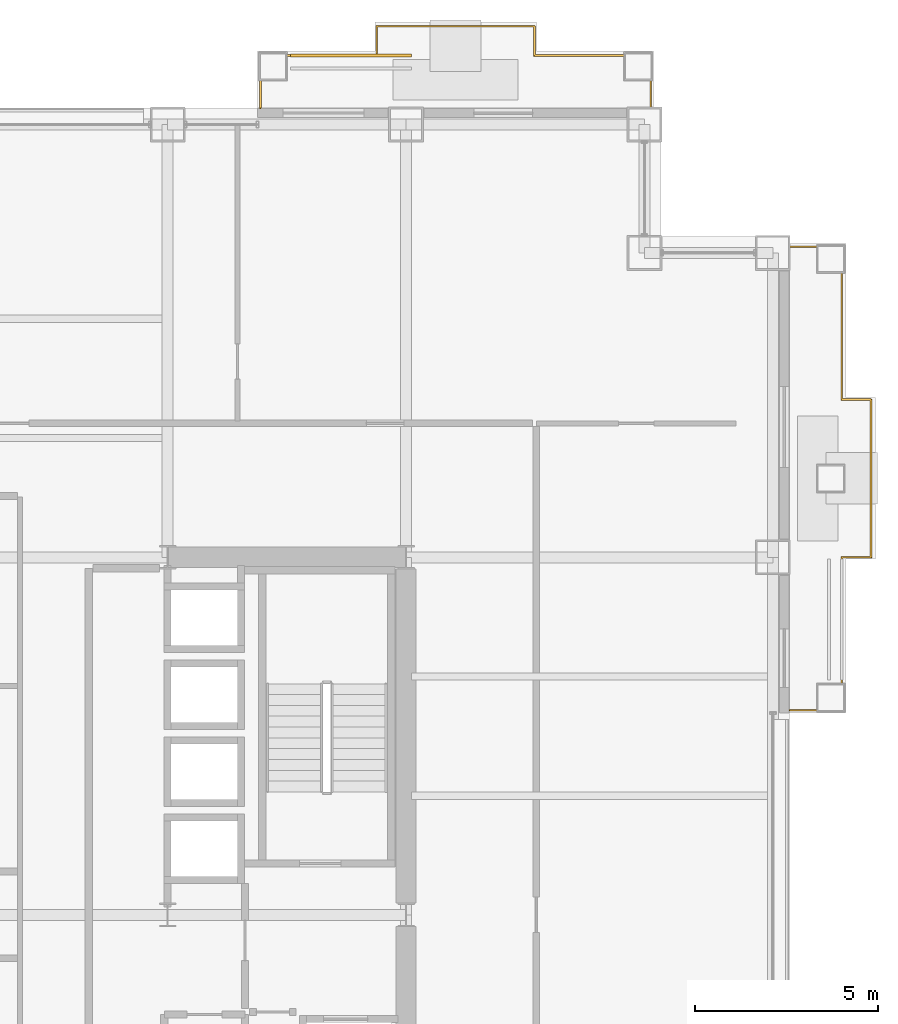
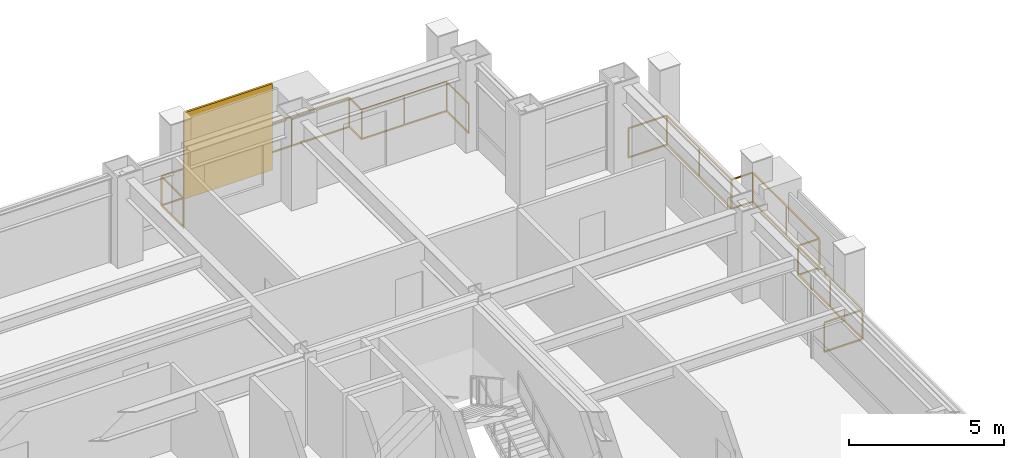
# One storey, part 30 of 31: 2 railings, 1 shading device.
"""IFC4 building model written with IfcOpenShell, lengths in metres."""

from ifc_helpers import new_model, si_unit, direction, frame, origin, origin_2d, place, context, subcontext, project, spatial, rectangle, extrude, material, layer, layer_set, type_object, element, save


model = new_model("IFC4")

# Units and contexts
model_context = context("Model", 3, precision=1e-05, world=origin(), true_north=direction((0.0, 1.0)))
body_context = subcontext(model_context, "Body", "Model", "MODEL_VIEW")
ifc_project = project(units=[si_unit("LENGTHUNIT", "METRE"), si_unit("AREAUNIT", "SQUARE_METRE"), si_unit("VOLUMEUNIT", "CUBIC_METRE"), si_unit("PLANEANGLEUNIT", "RADIAN"), si_unit("MASSUNIT", "GRAM", prefix="KILO")], contexts=[model_context])

# Site, building, storey
site_placement = place(None, origin())
site = spatial("IfcSite", under=ifc_project, at=site_placement, CompositionType="ELEMENT")
building_placement = place(site_placement, origin())
building = spatial("IfcBuilding", under=site, at=building_placement, Name="Brelmoor Portico Tower", CompositionType="ELEMENT")
storey_placement = place(building_placement, frame((0.0, 0.0, 42.0)))
storey = spatial("IfcBuildingStorey", under=building, at=storey_placement, Name="L10", CompositionType="ELEMENT", Elevation=42.0)

# Railings
ifc_material_1 = material(Name="Perforated Pale Champagne Aluminium Fretwork Guard", Category="aluminium")
railing_type = type_object("IfcRailingType", Name="RL-BALUSTRADE-1200", PredefinedType="BALUSTRADE", material=ifc_material_1)
railing_1_placement = place(storey_placement, frame((10.580078125, 22.0, 0.0)))
element("IfcRailing", 1, at=railing_1_placement, inside=storey, type_object=railing_type, Name="L10 Tree Balcony Fretwork Balustrade N", PredefinedType="BALUSTRADE", context=body_context, shape_type="SweptSolid", body=[
    extrude(rectangle(XDim=0.048095703125, YDim=0.048095703125, at=origin_2d()), frame((0.0, 0.0, 1.17578125), z_axis=(0.0, 1.0, 0.0), x_axis=(-1.0, 0.0, 0.0)), (0.0, 0.0, 1.0), 1.429931640625),
    extrude(rectangle(XDim=0.048095703125, YDim=0.048095703125, at=origin_2d()), frame((0.0, 0.0, 0.02392578125), z_axis=(0.0, 1.0, 0.0), x_axis=(-1.0, 0.0, 0.0)), (0.0, 0.0, 1.0), 1.429931640625),
    extrude(rectangle(XDim=0.048095703125, YDim=0.048095703125, at=origin_2d()), frame((0.0, 1.429931640625, 1.17578125), z_axis=(1.0, 0.0, 0.0), x_axis=(0.0, 1.0, 0.0)), (0.0, 0.0, 1.0), 3.169921875),
    extrude(rectangle(XDim=0.048095703125, YDim=0.048095703125, at=origin_2d()), frame((0.0, 1.429931640625, 0.02392578125), z_axis=(1.0, 0.0, 0.0), x_axis=(0.0, 1.0, 0.0)), (0.0, 0.0, 1.0), 3.169921875),
    extrude(rectangle(XDim=0.048095703125, YDim=0.048095703125, at=origin_2d()), frame((3.169921875, 1.429931640625, 1.17578125), z_axis=(0.0, 1.0, 0.0), x_axis=(-1.0, 0.0, 0.0)), (0.0, 0.0, 1.0), 0.800048828125),
    extrude(rectangle(XDim=0.048095703125, YDim=0.048095703125, at=origin_2d()), frame((3.169921875, 1.429931640625, 0.02392578125), z_axis=(0.0, 1.0, 0.0), x_axis=(-1.0, 0.0, 0.0)), (0.0, 0.0, 1.0), 0.800048828125),
    extrude(rectangle(XDim=0.048095703125, YDim=0.048095703125, at=origin_2d()), frame((3.169921875, 2.22998046875, 1.17578125), z_axis=(1.0, 0.0, 0.0), x_axis=(0.0, 1.0, 0.0)), (0.0, 0.0, 1.0), 4.300048828125),
    extrude(rectangle(XDim=0.048095703125, YDim=0.048095703125, at=origin_2d()), frame((3.169921875, 2.22998046875, 0.02392578125), z_axis=(1.0, 0.0, 0.0), x_axis=(0.0, 1.0, 0.0)), (0.0, 0.0, 1.0), 4.300048828125),
    extrude(rectangle(XDim=0.048095703125, YDim=0.048095703125, at=origin_2d()), frame((7.469970703125, 2.22998046875, 1.17578125), z_axis=(0.0, -1.0, 0.0), x_axis=(1.0, 0.0, 0.0)), (0.0, 0.0, 1.0), 0.800048828125),
    extrude(rectangle(XDim=0.048095703125, YDim=0.048095703125, at=origin_2d()), frame((7.469970703125, 2.22998046875, 0.02392578125), z_axis=(0.0, -1.0, 0.0), x_axis=(1.0, 0.0, 0.0)), (0.0, 0.0, 1.0), 0.800048828125),
    extrude(rectangle(XDim=0.048095703125, YDim=0.048095703125, at=origin_2d()), frame((7.469970703125, 1.429931640625, 1.17578125), z_axis=(1.0, 0.0, 0.0), x_axis=(0.0, 1.0, 0.0)), (0.0, 0.0, 1.0), 3.169921875),
    extrude(rectangle(XDim=0.048095703125, YDim=0.048095703125, at=origin_2d()), frame((7.469970703125, 1.429931640625, 0.02392578125), z_axis=(1.0, 0.0, 0.0), x_axis=(0.0, 1.0, 0.0)), (0.0, 0.0, 1.0), 3.169921875),
    extrude(rectangle(XDim=0.048095703125, YDim=0.048095703125, at=origin_2d()), frame((10.639892578125, 1.429931640625, 1.17578125), z_axis=(0.0, -1.0, 0.0), x_axis=(1.0, 0.0, 0.0)), (0.0, 0.0, 1.0), 1.429931640625),
    extrude(rectangle(XDim=0.048095703125, YDim=0.048095703125, at=origin_2d()), frame((10.639892578125, 1.429931640625, 0.02392578125), z_axis=(0.0, -1.0, 0.0), x_axis=(1.0, 0.0, 0.0)), (0.0, 0.0, 1.0), 1.429931640625),
    extrude(rectangle(XDim=0.0419921875, YDim=0.0419921875, at=origin_2d()), origin(), (0.0, 0.0, 1.0), 1.15185546875),
    extrude(rectangle(XDim=0.0419921875, YDim=0.0419921875, at=origin_2d()), frame((0.0, 1.429931640625, 0.0)), (0.0, 0.0, 1.0), 1.15185546875),
    extrude(rectangle(XDim=0.0419921875, YDim=0.0419921875, at=origin_2d()), frame((1.5849609375, 1.429931640625, 0.0)), (0.0, 0.0, 1.0), 1.15185546875),
    extrude(rectangle(XDim=0.0419921875, YDim=0.0419921875, at=origin_2d()), frame((3.169921875, 1.429931640625, 0.0)), (0.0, 0.0, 1.0), 1.15185546875),
    extrude(rectangle(XDim=0.0419921875, YDim=0.0419921875, at=origin_2d()), frame((3.169921875, 2.22998046875, 0.0)), (0.0, 0.0, 1.0), 1.15185546875),
    extrude(rectangle(XDim=0.0419921875, YDim=0.0419921875, at=origin_2d()), frame((5.31982421875, 2.22998046875, 0.0)), (0.0, 0.0, 1.0), 1.15185546875),
    extrude(rectangle(XDim=0.0419921875, YDim=0.0419921875, at=origin_2d()), frame((7.469970703125, 2.22998046875, 0.0)), (0.0, 0.0, 1.0), 1.15185546875),
    extrude(rectangle(XDim=0.0419921875, YDim=0.0419921875, at=origin_2d()), frame((7.469970703125, 1.429931640625, 0.0)), (0.0, 0.0, 1.0), 1.15185546875),
    extrude(rectangle(XDim=0.0419921875, YDim=0.0419921875, at=origin_2d()), frame((9.054931640625, 1.429931640625, 0.0)), (0.0, 0.0, 1.0), 1.15185546875),
    extrude(rectangle(XDim=0.0419921875, YDim=0.0419921875, at=origin_2d()), frame((10.639892578125, 1.429931640625, 0.0)), (0.0, 0.0, 1.0), 1.15185546875),
    extrude(rectangle(XDim=0.0419921875, YDim=0.0419921875, at=origin_2d()), frame((10.639892578125, 0.0, 0.0)), (0.0, 0.0, 1.0), 1.15185546875),
])
railing_2_placement = place(storey_placement, frame((25.0, 5.580078125, 0.0)))
element("IfcRailing", 2, at=railing_2_placement, inside=storey, type_object=railing_type, Name="L10 Tree Balcony Fretwork Balustrade E", PredefinedType="BALUSTRADE", context=body_context, shape_type="SweptSolid", body=[
    extrude(rectangle(XDim=0.048095703125, YDim=0.048095703125, at=origin_2d()), frame((0.0, 0.0, 1.17578125), z_axis=(1.0, 0.0, 0.0), x_axis=(0.0, 1.0, 0.0)), (0.0, 0.0, 1.0), 1.429931640625),
    extrude(rectangle(XDim=0.048095703125, YDim=0.048095703125, at=origin_2d()), frame((0.0, 0.0, 0.02392578125), z_axis=(1.0, 0.0, 0.0), x_axis=(0.0, 1.0, 0.0)), (0.0, 0.0, 1.0), 1.429931640625),
    extrude(rectangle(XDim=0.048095703125, YDim=0.048095703125, at=origin_2d()), frame((1.429931640625, 0.0, 1.17578125), z_axis=(0.0, 1.0, 0.0), x_axis=(-1.0, 0.0, 0.0)), (0.0, 0.0, 1.0), 4.169921875),
    extrude(rectangle(XDim=0.048095703125, YDim=0.048095703125, at=origin_2d()), frame((1.429931640625, 0.0, 0.02392578125), z_axis=(0.0, 1.0, 0.0), x_axis=(-1.0, 0.0, 0.0)), (0.0, 0.0, 1.0), 4.169921875),
    extrude(rectangle(XDim=0.048095703125, YDim=0.048095703125, at=origin_2d()), frame((1.429931640625, 4.169921875, 1.17578125), z_axis=(1.0, 0.0, 0.0), x_axis=(0.0, 1.0, 0.0)), (0.0, 0.0, 1.0), 0.800048828125),
    extrude(rectangle(XDim=0.048095703125, YDim=0.048095703125, at=origin_2d()), frame((1.429931640625, 4.169921875, 0.02392578125), z_axis=(1.0, 0.0, 0.0), x_axis=(0.0, 1.0, 0.0)), (0.0, 0.0, 1.0), 0.800048828125),
    extrude(rectangle(XDim=0.048095703125, YDim=0.048095703125, at=origin_2d()), frame((2.22998046875, 4.169921875, 1.17578125), z_axis=(0.0, 1.0, 0.0), x_axis=(-1.0, 0.0, 0.0)), (0.0, 0.0, 1.0), 4.300048828125),
    extrude(rectangle(XDim=0.048095703125, YDim=0.048095703125, at=origin_2d()), frame((2.22998046875, 4.169921875, 0.02392578125), z_axis=(0.0, 1.0, 0.0), x_axis=(-1.0, 0.0, 0.0)), (0.0, 0.0, 1.0), 4.300048828125),
    extrude(rectangle(XDim=0.048095703125, YDim=0.048095703125, at=origin_2d()), frame((2.22998046875, 8.469970703125, 1.17578125), z_axis=(-1.0, 0.0, 0.0), x_axis=(0.0, -1.0, 0.0)), (0.0, 0.0, 1.0), 0.800048828125),
    extrude(rectangle(XDim=0.048095703125, YDim=0.048095703125, at=origin_2d()), frame((2.22998046875, 8.469970703125, 0.02392578125), z_axis=(-1.0, 0.0, 0.0), x_axis=(0.0, -1.0, 0.0)), (0.0, 0.0, 1.0), 0.800048828125),
    extrude(rectangle(XDim=0.048095703125, YDim=0.048095703125, at=origin_2d()), frame((1.429931640625, 8.469970703125, 1.17578125), z_axis=(0.0, 1.0, 0.0), x_axis=(-1.0, 0.0, 0.0)), (0.0, 0.0, 1.0), 4.169921875),
    extrude(rectangle(XDim=0.048095703125, YDim=0.048095703125, at=origin_2d()), frame((1.429931640625, 8.469970703125, 0.02392578125), z_axis=(0.0, 1.0, 0.0), x_axis=(-1.0, 0.0, 0.0)), (0.0, 0.0, 1.0), 4.169921875),
    extrude(rectangle(XDim=0.048095703125, YDim=0.048095703125, at=origin_2d()), frame((1.429931640625, 12.639892578125, 1.17578125), z_axis=(-1.0, 0.0, 0.0), x_axis=(0.0, -1.0, 0.0)), (0.0, 0.0, 1.0), 1.429931640625),
    extrude(rectangle(XDim=0.048095703125, YDim=0.048095703125, at=origin_2d()), frame((1.429931640625, 12.639892578125, 0.02392578125), z_axis=(-1.0, 0.0, 0.0), x_axis=(0.0, -1.0, 0.0)), (0.0, 0.0, 1.0), 1.429931640625),
    extrude(rectangle(XDim=0.0419921875, YDim=0.0419921875, at=origin_2d()), origin(), (0.0, 0.0, 1.0), 1.15185546875),
    extrude(rectangle(XDim=0.0419921875, YDim=0.0419921875, at=origin_2d()), frame((1.429931640625, 0.0, 0.0)), (0.0, 0.0, 1.0), 1.15185546875),
    extrude(rectangle(XDim=0.0419921875, YDim=0.0419921875, at=origin_2d()), frame((1.429931640625, 2.0849609375, 0.0)), (0.0, 0.0, 1.0), 1.15185546875),
    extrude(rectangle(XDim=0.0419921875, YDim=0.0419921875, at=origin_2d()), frame((1.429931640625, 4.169921875, 0.0)), (0.0, 0.0, 1.0), 1.15185546875),
    extrude(rectangle(XDim=0.0419921875, YDim=0.0419921875, at=origin_2d()), frame((2.22998046875, 4.169921875, 0.0)), (0.0, 0.0, 1.0), 1.15185546875),
    extrude(rectangle(XDim=0.0419921875, YDim=0.0419921875, at=origin_2d()), frame((2.22998046875, 6.31982421875, 0.0)), (0.0, 0.0, 1.0), 1.15185546875),
    extrude(rectangle(XDim=0.0419921875, YDim=0.0419921875, at=origin_2d()), frame((2.22998046875, 8.469970703125, 0.0)), (0.0, 0.0, 1.0), 1.15185546875),
    extrude(rectangle(XDim=0.0419921875, YDim=0.0419921875, at=origin_2d()), frame((1.429931640625, 8.469970703125, 0.0)), (0.0, 0.0, 1.0), 1.15185546875),
    extrude(rectangle(XDim=0.0419921875, YDim=0.0419921875, at=origin_2d()), frame((1.429931640625, 10.554931640625, 0.0)), (0.0, 0.0, 1.0), 1.15185546875),
    extrude(rectangle(XDim=0.0419921875, YDim=0.0419921875, at=origin_2d()), frame((1.429931640625, 12.639892578125, 0.0)), (0.0, 0.0, 1.0), 1.15185546875),
    extrude(rectangle(XDim=0.0419921875, YDim=0.0419921875, at=origin_2d()), frame((0.0, 12.639892578125, 0.0)), (0.0, 0.0, 1.0), 1.15185546875),
])

# Shading device
ifc_material_2 = material(Name="Powder-Coated Aluminium Shuttered Jalousie", Category="aluminium")
ifc_layer = layer(ifc_material_2, 0.080078125)
ifc_layer_set = layer_set([ifc_layer], Name="Powder-Coated Aluminium Shuttered Jalousie")
shading_device_type = type_object("IfcShadingDeviceType", Name="SD-JALOUSIE-LOGGIA", PredefinedType="JALOUSIE", material=ifc_layer_set)
shading_device_placement = place(storey_placement, frame((13.050048828125, 23.429931640625, 0.0), z_axis=(0.0, 0.0, 1.0), x_axis=(1.0, 0.0, 0.0)))
element("IfcShadingDevice", 3, at=shading_device_placement, inside=storey, type_object=shading_device_type, Name="L10 Loggia Shuttered Jalousie N", PredefinedType="JALOUSIE", context=body_context, shape_type="SweptSolid", body=[
    extrude(rectangle(XDim=3.300048828125, YDim=0.080078125, at=origin_2d()), origin(), (0.0, 0.0, 1.0), 3.39990234375),
])

save(model, "model.ifc")
